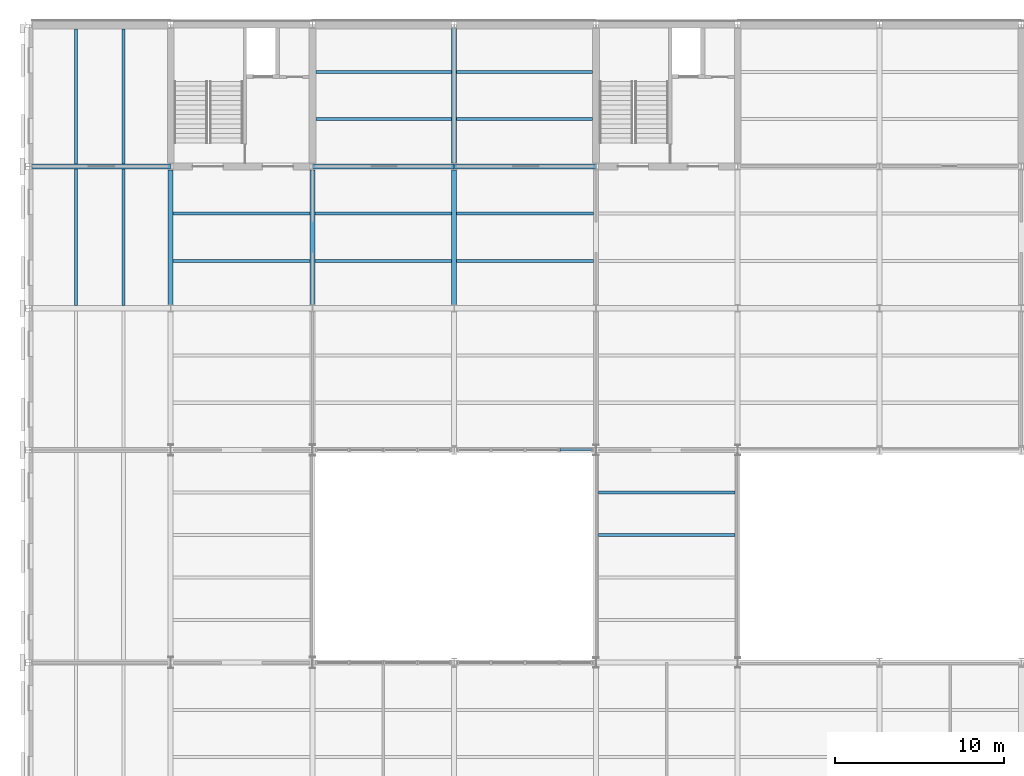
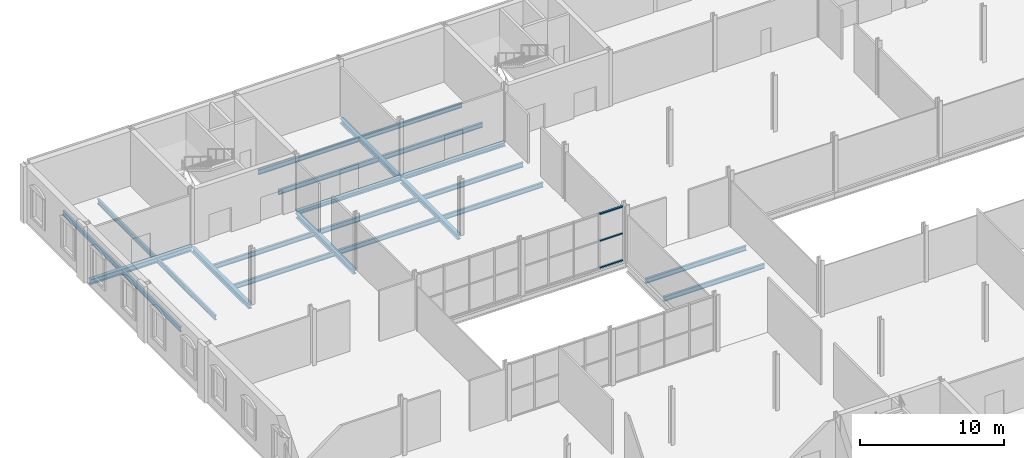
# One storey, part 15 of 57: 23 beams, 3 members, 1 element without a shape of its own.
"""IFC4 building model written with IfcOpenShell, lengths in metres."""

import ifcopenshell
import ifcopenshell.guid

model = None  # the IFC model being written
_history = None  # IfcOwnerHistory: only IFC2X3 demands one
_inside = {}  # id of a spatial element -> (the spatial element, [elements in it])
_under = {}  # id of a project, library or spatial element -> (it, [spatial elements below it])
_declared = {}  # id of a project -> (the project, [libraries it declares])
_typed = {}  # id of a type object -> (the type object, [elements of that type])
_made_of = {}  # id of a material, layer set ... -> (it, [elements and type objects made of it])


def new_model(schema):
    """Start an empty IFC model of exactly this schema.

    Asked for "IFC4X3", IfcOpenShell would pick the latest addendum, in which some entities
    have other attributes; the version numbers below select the first issue.
    IFC2X3 requires an IfcOwnerHistory on every rooted entity: one is made here for all.
    """
    global model, _history
    if schema == "IFC4X3":
        model = ifcopenshell.file(schema_version=(4, 3, 0, 0))
    else:
        model = ifcopenshell.file(schema=schema)
    _inside.clear()
    _under.clear()
    _declared.clear()
    _typed.clear()
    _made_of.clear()
    _history = None
    if model.schema == "IFC2X3":
        org = make("IfcOrganization", Name="unknown")
        user = make(
            "IfcPersonAndOrganization",
            ThePerson=make("IfcPerson", FamilyName="unknown"),
            TheOrganization=org,
        )
        app = make(
            "IfcApplication",
            ApplicationDeveloper=org,
            Version="unknown",
            ApplicationFullName="unknown",
            ApplicationIdentifier="unknown",
        )
        _history = make(
            "IfcOwnerHistory",
            OwningUser=user,
            OwningApplication=app,
            ChangeAction="ADDED",
            CreationDate=0,
        )
    return model


def make(cls, **values):
    """One entity of the class cls with the attributes given. An attribute that is None is left unset."""
    return model.create_entity(
        cls, **{name: value for name, value in values.items() if value is not None}
    )


def rooted(cls, **values):
    """An entity with a GlobalId (a new one), such as an element, a storey or a relation."""
    return make(cls, GlobalId=ifcopenshell.guid.new(), OwnerHistory=_history, **values)


def si_unit(unit_type, name, prefix=None):
    """IfcSIUnit, for example si_unit("LENGTHUNIT", "METRE", prefix="MILLI")."""
    return make("IfcSIUnit", UnitType=unit_type, Prefix=prefix, Name=name)


def assignment(units):
    """IfcUnitAssignment: the units of a project."""
    return None if units is None else make("IfcUnitAssignment", Units=units)


def point(xyz):
    """IfcCartesianPoint."""
    return None if xyz is None else make("IfcCartesianPoint", Coordinates=xyz)


def direction(xyz):
    """IfcDirection."""
    return None if xyz is None else make("IfcDirection", DirectionRatios=xyz)


def frame(location, z_axis=None, x_axis=None):
    """IfcAxis2Placement3D, a coordinate frame: its origin and axes. An axis left out is left unset."""
    return make(
        "IfcAxis2Placement3D",
        Location=point(location),
        Axis=direction(z_axis),
        RefDirection=direction(x_axis),
    )


def frame_2d(location, x_axis=None):
    """IfcAxis2Placement2D, a coordinate frame in the plane: its origin and x axis."""
    return make(
        "IfcAxis2Placement2D", Location=point(location), RefDirection=direction(x_axis)
    )


def origin():
    """The frame at (0, 0, 0) with its axes left unset."""
    return frame((0.0, 0.0, 0.0))


def origin_2d():
    """The frame at (0, 0) in the plane with its x axis left unset."""
    return frame_2d((0.0, 0.0))


def place(relative_to, where):
    """IfcLocalPlacement: puts the frame where relative to a parent placement (None: the world)."""
    return make(
        "IfcLocalPlacement", PlacementRelTo=relative_to, RelativePlacement=where
    )


def context(
    kind, dimensions, precision=None, world=None, true_north=None, identifier=None
):
    """IfcGeometricRepresentationContext, for example the 3D "Model" context."""
    return make(
        "IfcGeometricRepresentationContext",
        ContextIdentifier=identifier,
        ContextType=kind,
        CoordinateSpaceDimension=dimensions,
        Precision=precision,
        WorldCoordinateSystem=world,
        TrueNorth=true_north,
    )


def subcontext(parent, identifier, kind, view, scale=None):
    """IfcGeometricRepresentationSubContext, for example "Body" below "Model"."""
    return make(
        "IfcGeometricRepresentationSubContext",
        ContextIdentifier=identifier,
        ContextType=kind,
        ParentContext=parent,
        TargetScale=scale,
        TargetView=view,
    )


def project(units=None, contexts=None):
    """IfcProject with its units and contexts."""
    return rooted(
        "IfcProject",
        Name="project",
        RepresentationContexts=contexts,
        UnitsInContext=assignment(units),
    )


def spatial(cls, under=None, at=None, **own):
    """A site, building, storey or space (cls), placed at a placement, below another one or the project."""
    s = rooted(cls, ObjectPlacement=at, **own)
    if under is not None:
        _under.setdefault(under.id(), (under, []))[1].append(s)
    return s


def profile(cls, at=None, kind="AREA", **sizes):
    """A parametric profile (cls). Its sizes go by their IFC names, for example OverallWidth=200.0."""
    return make(cls, ProfileType=kind, Position=at, **sizes)


def hollow_rectangle(**sizes):
    """IfcRectangleHollowProfileDef."""
    return profile("IfcRectangleHollowProfileDef", **sizes)


def i_section(**sizes):
    """IfcIShapeProfileDef."""
    return profile("IfcIShapeProfileDef", **sizes)


def extrude(swept, where, along, depth):
    """IfcExtrudedAreaSolid: the profile swept, set in the frame where, extruded along a direction by depth."""
    return make(
        "IfcExtrudedAreaSolid",
        SweptArea=swept,
        Position=where,
        ExtrudedDirection=direction(along),
        Depth=depth,
    )


def shape(context_of_items, identifier, shape_type, items):
    """IfcShapeRepresentation: the items that make up one representation, for example the "Body"."""
    return make(
        "IfcShapeRepresentation",
        ContextOfItems=context_of_items,
        RepresentationIdentifier=identifier,
        RepresentationType=shape_type,
        Items=items,
    )


def material(Name=None, Category=None):
    """IfcMaterial."""
    return make("IfcMaterial", Name=Name, Category=Category)


def layer(
    of_material, thickness, ventilated=None, Name=None, Category=None, Priority=None
):
    """IfcMaterialLayer: one layer of a wall or slab, of a material (None: an air gap)."""
    return make(
        "IfcMaterialLayer",
        Material=of_material,
        LayerThickness=thickness,
        IsVentilated=ventilated,
        Name=Name,
        Category=Category,
        Priority=Priority,
    )


def layer_set(layers, Name=None):
    """IfcMaterialLayerSet."""
    return make("IfcMaterialLayerSet", MaterialLayers=layers, LayerSetName=Name)


def material_profile(
    of_material, cross_section, Name=None, Category=None, Priority=None
):
    """IfcMaterialProfile: a cross section and its material."""
    return make(
        "IfcMaterialProfile",
        Name=Name,
        Material=of_material,
        Profile=cross_section,
        Priority=Priority,
        Category=Category,
    )


def profile_set(profiles, Name=None, composite=None):
    """IfcMaterialProfileSet."""
    return make(
        "IfcMaterialProfileSet",
        Name=Name,
        MaterialProfiles=profiles,
        CompositeProfile=composite,
    )


def made_of(thing, what):
    """Note that an element or type object is made of a material, layer set ...; save() writes the relation."""
    if what is not None:
        _made_of.setdefault(what.id(), (what, []))[1].append(thing)
    return thing


def type_object(cls, material=None, **own):
    """A type object (cls), such as IfcWallType, which elements share."""
    return made_of(rooted(cls, **own), material)


def element(
    cls,
    number,
    at=None,
    inside=None,
    cuts=None,
    type_object=None,
    material=None,
    context=None,
    identifier="Body",
    shape_type=None,
    held_by="IfcProductDefinitionShape",
    body=None,
    shapes=None,
    **own,
):
    """One element of the class cls, such as IfcWall. Its Tag is "e" and its number.

    at: its placement. inside: the storey or other place that contains it. cuts: it is an
    opening in that element (IfcRelVoidsElement). A single representation is given by context,
    identifier, shape_type and body (its items); several are given by shapes. held_by: the class
    of the entity that holds the representations. save() writes the other relations.
    """
    e = rooted(cls, Tag="e%d" % number, ObjectPlacement=at, **own)
    if body is not None:
        shapes = [shape(context, identifier, shape_type, body)]
    if shapes is not None:
        e.Representation = make(held_by, Representations=shapes)
    if inside is not None:
        _inside.setdefault(inside.id(), (inside, []))[1].append(e)
    if cuts is not None:
        rooted(
            "IfcRelVoidsElement", RelatingBuildingElement=cuts, RelatedOpeningElement=e
        )
    if type_object is not None:
        _typed.setdefault(type_object.id(), (type_object, []))[1].append(e)
    return made_of(e, material)


def aggregate(whole, parts):
    """IfcRelAggregates: a whole, such as a stair, and the parts it consists of."""
    return rooted("IfcRelAggregates", RelatingObject=whole, RelatedObjects=parts)


def save(model, path):
    """Write the relations noted so far, then the file.

    IfcRelAggregates (storeys below a building ...), IfcRelContainedInSpatialStructure (elements
    in a storey), IfcRelDefinesByType, IfcRelAssociatesMaterial and IfcRelDeclares: one each for
    every whole, place, type object, material and project.
    """
    for whole, parts in _under.values():
        aggregate(whole, parts)
    for where, things in _inside.values():
        rooted(
            "IfcRelContainedInSpatialStructure",
            RelatedElements=things,
            RelatingStructure=where,
        )
    for kind, things in _typed.values():
        rooted("IfcRelDefinesByType", RelatedObjects=things, RelatingType=kind)
    for what, things in _made_of.values():
        rooted("IfcRelAssociatesMaterial", RelatedObjects=things, RelatingMaterial=what)
    for by, libraries in _declared.values():
        rooted("IfcRelDeclares", RelatingContext=by, RelatedDefinitions=libraries)
    model.write(path)


model = new_model("IFC4")

# Units and contexts
model_context = context("Model", 3, precision=1e-05, world=origin(), true_north=direction((0.0, 1.0)))
body_context = subcontext(model_context, "Body", "Model", "MODEL_VIEW")
ifc_project = project(units=[si_unit("LENGTHUNIT", "METRE"), si_unit("AREAUNIT", "SQUARE_METRE"), si_unit("VOLUMEUNIT", "CUBIC_METRE"), si_unit("PLANEANGLEUNIT", "RADIAN"), si_unit("MASSUNIT", "GRAM", prefix="KILO")], contexts=[model_context])

# Site, building, storey
site_placement = place(None, origin())
site = spatial("IfcSite", under=ifc_project, at=site_placement, CompositionType="ELEMENT")
building_placement = place(site_placement, origin())
building = spatial("IfcBuilding", under=site, at=building_placement, Name="Galleria Vessillo Department Store", CompositionType="ELEMENT")
storey_placement = place(building_placement, frame((0.0, 0.0, 21.0)))
storey = spatial("IfcBuildingStorey", under=building, at=storey_placement, Name="L04", CompositionType="ELEMENT", Elevation=21.0)

# Beams
ifc_material_1 = material(Name="Steel S355 J2", Category="steel")
ifc_material_profile_1 = material_profile(ifc_material_1, i_section(OverallWidth=0.300048828125, OverallDepth=0.43994140625, WebThickness=0.011474609375, FlangeThickness=0.02099609375, FilletRadius=0.027099609375, at=origin_2d()), Name="HEA 450")
ifc_profile_set_1 = profile_set([ifc_material_profile_1], Name="Steel S355 J2")
beam_type_1 = type_object("IfcBeamType", Name="Floor girder HEA 450", PredefinedType="BEAM", material=ifc_profile_set_1)
beam_placement = place(storey_placement, frame((0.2001953125, 54.60009765625, -0.369873046875), z_axis=(1.0, 0.0, 0.0), x_axis=(0.0, 1.0, 0.0)))
element("IfcBeam", 1, at=beam_placement, inside=storey, type_object=beam_type_1, Name="S-BM-L04-GI-x54600-200", PredefinedType="BEAM", context=body_context, shape_type="SweptSolid", body=[
    extrude(i_section(OverallWidth=0.300048828125, OverallDepth=0.43994140625, WebThickness=0.011474609375, FlangeThickness=0.02099609375, FilletRadius=0.027099609375, at=origin_2d()), origin(), (0.0, 0.0, 1.0), 8.19287109375),
])
for number, where, z_axis, x_axis, name in (
    (2, (8.39990234375, 46.400146484375, -0.369873046875), (0.0, 1.0, 0.0), (-1.0, 0.0, 0.0), "S-BM-L04-GI-y8400-46400"),
    (3, (16.800048828125, 46.400146484375, -0.369873046875), (0.0, 1.0, 0.0), (-1.0, 0.0, 0.0), "S-BM-L04-GI-y16800-46400"),
    (4, (25.199951171875, 46.400146484375, -0.369873046875), (0.0, 1.0, 0.0), (-1.0, 0.0, 0.0), "S-BM-L04-GI-y25200-46400"),
    (5, (25.199951171875, 54.800048828125, -0.369873046875), (0.0, 1.0, 0.0), (-1.0, 0.0, 0.0), "S-BM-L04-GI-y25200-54800"),
):
    element("IfcBeam", number, at=place(storey_placement, frame(where, z_axis=z_axis, x_axis=x_axis)), inside=storey, type_object=beam_type_1, Name=name, PredefinedType="BEAM", context=body_context, shape_type="SweptSolid", body=[
        extrude(i_section(OverallWidth=0.300048828125, OverallDepth=0.43994140625, WebThickness=0.011474609375, FlangeThickness=0.02099609375, FilletRadius=0.027099609375, at=origin_2d()), origin(), (0.0, 0.0, 1.0), 7.999755859375),
    ])
ifc_material_2 = material(Name="Steel S355 J2", Category="steel")
ifc_material_profile_2 = material_profile(ifc_material_2, i_section(OverallWidth=0.179931640625, OverallDepth=0.39990234375, WebThickness=0.008544921875, FlangeThickness=0.013427734375, FilletRadius=0.02099609375, at=origin_2d()), Name="IPE 400")
ifc_profile_set_2 = profile_set([ifc_material_profile_2], Name="Steel S355 J2")
beam_type_2 = type_object("IfcBeamType", Name="Floor joist IPE 400", PredefinedType="JOIST", material=ifc_profile_set_2)
for number, where, z_axis, x_axis, name in (
    (6, (2.800048828125, 46.35009765625, -0.349853515625), (0.0, 1.0, 0.0), (-1.0, 0.0, 0.0), "S-BM-L04-JO-y2800-46350"),
    (7, (5.60009765625, 46.35009765625, -0.349853515625), (0.0, 1.0, 0.0), (-1.0, 0.0, 0.0), "S-BM-L04-JO-y5600-46350"),
):
    element("IfcBeam", number, at=place(storey_placement, frame(where, z_axis=z_axis, x_axis=x_axis)), inside=storey, type_object=beam_type_2, Name=name, PredefinedType="JOIST", context=body_context, shape_type="SweptSolid", body=[
        extrude(i_section(OverallWidth=0.179931640625, OverallDepth=0.39990234375, WebThickness=0.008544921875, FlangeThickness=0.013427734375, FilletRadius=0.02099609375, at=origin_2d()), origin(), (0.0, 0.0, 1.0), 8.099853515625),
    ])
for number, where, z_axis, x_axis, name in (
    (8, (2.800048828125, 54.750244140625, -0.349853515625), (0.0, 1.0, 0.0), (-1.0, 0.0, 0.0), "S-BM-L04-JO-y2800-54750"),
    (9, (5.60009765625, 54.750244140625, -0.349853515625), (0.0, 1.0, 0.0), (-1.0, 0.0, 0.0), "S-BM-L04-JO-y5600-54750"),
):
    element("IfcBeam", number, at=place(storey_placement, frame(where, z_axis=z_axis, x_axis=x_axis)), inside=storey, type_object=beam_type_2, Name=name, PredefinedType="JOIST", context=body_context, shape_type="SweptSolid", body=[
        extrude(i_section(OverallWidth=0.179931640625, OverallDepth=0.39990234375, WebThickness=0.008544921875, FlangeThickness=0.013427734375, FilletRadius=0.02099609375, at=origin_2d()), origin(), (0.0, 0.0, 1.0), 7.99951171875),
    ])
for number, where, z_axis, x_axis, name in (
    (10, (8.550048828125, 49.0, -0.349853515625), (1.0, 0.0, 0.0), (0.0, 1.0, 0.0), "S-BM-L04-JO-x49000-8550"),
    (11, (8.550048828125, 51.800048828125, -0.349853515625), (1.0, 0.0, 0.0), (0.0, 1.0, 0.0), "S-BM-L04-JO-x51800-8550"),
):
    element("IfcBeam", number, at=place(storey_placement, frame(where, z_axis=z_axis, x_axis=x_axis)), inside=storey, type_object=beam_type_2, Name=name, PredefinedType="JOIST", context=body_context, shape_type="SweptSolid", body=[
        extrude(i_section(OverallWidth=0.179931640625, OverallDepth=0.39990234375, WebThickness=0.008544921875, FlangeThickness=0.013427734375, FilletRadius=0.02099609375, at=origin_2d()), origin(), (0.0, 0.0, 1.0), 8.099853515625),
    ])
for number, where, z_axis, x_axis, name in (
    (12, (16.9501953125, 49.0, -0.349853515625), (1.0, 0.0, 0.0), (0.0, 1.0, 0.0), "S-BM-L04-JO-x49000-16950"),
    (13, (16.9501953125, 51.800048828125, -0.349853515625), (1.0, 0.0, 0.0), (0.0, 1.0, 0.0), "S-BM-L04-JO-x51800-16950"),
):
    element("IfcBeam", number, at=place(storey_placement, frame(where, z_axis=z_axis, x_axis=x_axis)), inside=storey, type_object=beam_type_2, Name=name, PredefinedType="JOIST", context=body_context, shape_type="SweptSolid", body=[
        extrude(i_section(OverallWidth=0.179931640625, OverallDepth=0.39990234375, WebThickness=0.008544921875, FlangeThickness=0.013427734375, FilletRadius=0.02099609375, at=origin_2d()), origin(), (0.0, 0.0, 1.0), 8.099609375),
    ])
for number, where, z_axis, x_axis, name in (
    (14, (17.000244140625, 57.39990234375, -0.349853515625), (1.0, 0.0, 0.0), (0.0, 1.0, 0.0), "S-BM-L04-JO-x57400-17000"),
    (15, (17.000244140625, 60.199951171875, -0.349853515625), (1.0, 0.0, 0.0), (0.0, 1.0, 0.0), "S-BM-L04-JO-x60200-17000"),
):
    element("IfcBeam", number, at=place(storey_placement, frame(where, z_axis=z_axis, x_axis=x_axis)), inside=storey, type_object=beam_type_2, Name=name, PredefinedType="JOIST", context=body_context, shape_type="SweptSolid", body=[
        extrude(i_section(OverallWidth=0.179931640625, OverallDepth=0.39990234375, WebThickness=0.008544921875, FlangeThickness=0.013427734375, FilletRadius=0.02099609375, at=origin_2d()), origin(), (0.0, 0.0, 1.0), 8.049560546875),
    ])
for number, where, z_axis, x_axis, name in (
    (16, (25.35009765625, 49.0, -0.349853515625), (1.0, 0.0, 0.0), (0.0, 1.0, 0.0), "S-BM-L04-JO-x49000-25350"),
    (17, (25.35009765625, 51.800048828125, -0.349853515625), (1.0, 0.0, 0.0), (0.0, 1.0, 0.0), "S-BM-L04-JO-x51800-25350"),
):
    element("IfcBeam", number, at=place(storey_placement, frame(where, z_axis=z_axis, x_axis=x_axis)), inside=storey, type_object=beam_type_2, Name=name, PredefinedType="JOIST", context=body_context, shape_type="SweptSolid", body=[
        extrude(i_section(OverallWidth=0.179931640625, OverallDepth=0.39990234375, WebThickness=0.008544921875, FlangeThickness=0.013427734375, FilletRadius=0.02099609375, at=origin_2d()), origin(), (0.0, 0.0, 1.0), 8.099853515625),
    ])
for number, where, z_axis, x_axis, name in (
    (18, (25.35009765625, 57.39990234375, -0.349853515625), (1.0, 0.0, 0.0), (0.0, 1.0, 0.0), "S-BM-L04-JO-x57400-25350"),
    (19, (25.35009765625, 60.199951171875, -0.349853515625), (1.0, 0.0, 0.0), (0.0, 1.0, 0.0), "S-BM-L04-JO-x60200-25350"),
):
    element("IfcBeam", number, at=place(storey_placement, frame(where, z_axis=z_axis, x_axis=x_axis)), inside=storey, type_object=beam_type_2, Name=name, PredefinedType="JOIST", context=body_context, shape_type="SweptSolid", body=[
        extrude(i_section(OverallWidth=0.179931640625, OverallDepth=0.39990234375, WebThickness=0.008544921875, FlangeThickness=0.013427734375, FilletRadius=0.02099609375, at=origin_2d()), origin(), (0.0, 0.0, 1.0), 8.0498046875),
    ])
for number, where, z_axis, x_axis, name in (
    (20, (33.750244140625, 32.760009765625, -0.349853515625), (1.0, 0.0, 0.0), (0.0, 1.0, 0.0), "S-BM-L04-JO-x32760-33750"),
    (21, (33.750244140625, 35.280029296875, -0.349853515625), (1.0, 0.0, 0.0), (0.0, 1.0, 0.0), "S-BM-L04-JO-x35280-33750"),
):
    element("IfcBeam", number, at=place(storey_placement, frame(where, z_axis=z_axis, x_axis=x_axis)), inside=storey, type_object=beam_type_2, Name=name, PredefinedType="JOIST", context=body_context, shape_type="SweptSolid", body=[
        extrude(i_section(OverallWidth=0.179931640625, OverallDepth=0.39990234375, WebThickness=0.008544921875, FlangeThickness=0.013427734375, FilletRadius=0.02099609375, at=origin_2d()), origin(), (0.0, 0.0, 1.0), 8.099609375),
    ])
ifc_material_3 = material(Name="Steel S355 J2", Category="steel")
ifc_material_profile_3 = material_profile(ifc_material_3, i_section(OverallWidth=0.300048828125, OverallDepth=0.330078125, WebThickness=0.009521484375, FlangeThickness=0.0166015625, FilletRadius=0.027099609375, at=origin_2d()), Name="HEA 340")
ifc_profile_set_3 = profile_set([ifc_material_profile_3], Name="Steel S355 J2")
beam_type_3 = type_object("IfcBeamType", Name="Floor tie girder HEA 340", PredefinedType="BEAM", material=ifc_profile_set_3)
for number, where, z_axis, x_axis, name in (
    (22, (16.806884765625, 54.60009765625, -0.31494140625), (1.0, 0.0, 0.0), (0.0, 1.0, 0.0), "S-BM-L04-TI-x54600-16807"),
    (23, (25.206787109375, 54.60009765625, -0.31494140625), (1.0, 0.0, 0.0), (0.0, 1.0, 0.0), "S-BM-L04-TI-x54600-25207"),
):
    element("IfcBeam", number, at=place(storey_placement, frame(where, z_axis=z_axis, x_axis=x_axis)), inside=storey, type_object=beam_type_3, Name=name, PredefinedType="BEAM", context=body_context, shape_type="SweptSolid", body=[
        extrude(i_section(OverallWidth=0.300048828125, OverallDepth=0.330078125, WebThickness=0.009521484375, FlangeThickness=0.0166015625, FilletRadius=0.027099609375, at=origin_2d()), origin(), (0.0, 0.0, 1.0), 8.38623046875),
    ])

# Curtain wall, members
ifc_material_4 = material(Name="Steel and fire-resisting glass curtain wall", Category="steel")
ifc_layer = layer(ifc_material_4, 0.199951171875)
ifc_layer_set = layer_set([ifc_layer], Name="Steel and fire-resisting glass curtain wall")
curtain_wall_type = type_object("IfcCurtainWallType", Name="Arcade fire-resisting glazed shopfront EI 120-Sa", PredefinedType="NOTDEFINED", material=ifc_layer_set)
curtain_wall_placement = place(storey_placement, origin())
curtain_wall = element("IfcCurtainWall", 24, at=curtain_wall_placement, inside=storey, type_object=curtain_wall_type, Name="Arcade fire-resisting glazed shopfront EI 120-Sa AI-AW-N-L04-02", PredefinedType="NOTDEFINED")
ifc_material_5 = material(Name="Steel S355 J2", Category="steel")
ifc_material_profile_4 = material_profile(ifc_material_5, hollow_rectangle(XDim=0.14990234375, YDim=0.10009765625, WallThickness=0.008056640625, at=origin_2d()), Name="RHS 150x100x8")
ifc_profile_set_4 = profile_set([ifc_material_profile_4], Name="Steel S355 J2")
member_type = type_object("IfcMemberType", Name="Steel transom RHS 150x100x8", PredefinedType="USERDEFINED", material=ifc_profile_set_4)
member_1_placement = place(storey_placement, frame((31.473876953125, 37.800048828125, 0.050048828125), z_axis=(1.0, 0.0, 0.0), x_axis=(0.0, 1.0, 0.0)))
member_1 = element("IfcMember", 25, at=member_1_placement, type_object=member_type, Name="CW7 transom 4.1", ObjectType="TRANSOM", PredefinedType="USERDEFINED", context=body_context, shape_type="SweptSolid", body=[
    extrude(hollow_rectangle(XDim=0.14990234375, YDim=0.10009765625, WallThickness=0.008056640625, at=origin_2d()), origin(), (0.0, 0.0, 1.0), 1.87353515625),
])
member_2_placement = place(storey_placement, frame((31.473876953125, 37.800048828125, 2.3251953125), z_axis=(1.0, 0.0, 0.0), x_axis=(0.0, 1.0, 0.0)))
member_2 = element("IfcMember", 26, at=member_2_placement, type_object=member_type, Name="CW7 transom 4.2", ObjectType="TRANSOM", PredefinedType="USERDEFINED", context=body_context, shape_type="SweptSolid", body=[
    extrude(hollow_rectangle(XDim=0.14990234375, YDim=0.10009765625, WallThickness=0.008056640625, at=origin_2d()), origin(), (0.0, 0.0, 1.0), 1.87353515625),
])
member_3_placement = place(storey_placement, frame((31.473876953125, 37.800048828125, 4.60009765625), z_axis=(1.0, 0.0, 0.0), x_axis=(0.0, 1.0, 0.0)))
member_3 = element("IfcMember", 27, at=member_3_placement, type_object=member_type, Name="CW7 transom 4.3", ObjectType="TRANSOM", PredefinedType="USERDEFINED", context=body_context, shape_type="SweptSolid", body=[
    extrude(hollow_rectangle(XDim=0.14990234375, YDim=0.10009765625, WallThickness=0.008056640625, at=origin_2d()), origin(), (0.0, 0.0, 1.0), 1.87353515625),
])
aggregate(curtain_wall, [member_1, member_2, member_3])

save(model, "model.ifc")
